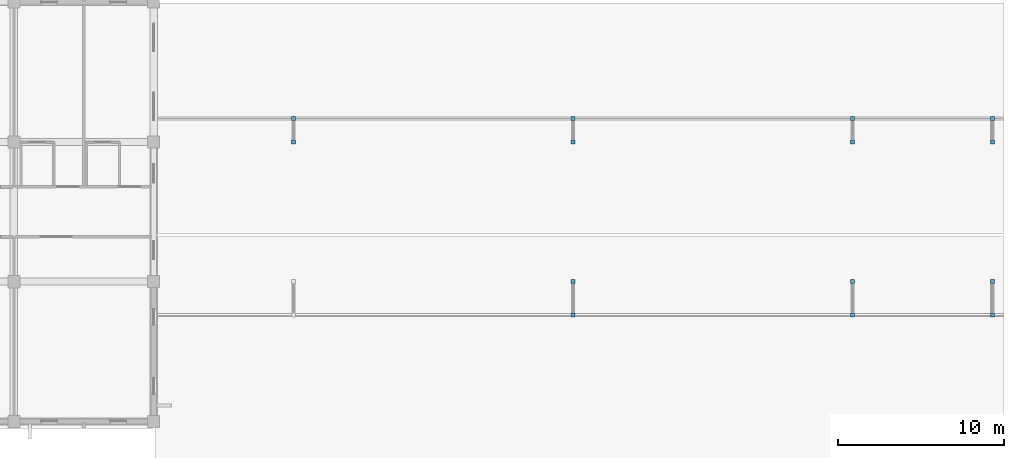
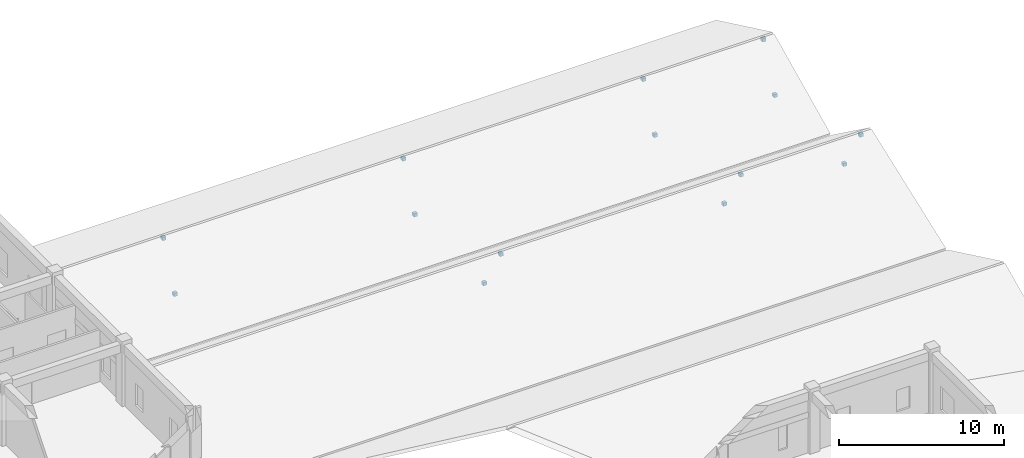
# One storey, part 142 of 158: 14 discrete accessories.
"""IFC4 building model written with IfcOpenShell, lengths in metres."""

import ifcopenshell
import ifcopenshell.guid

model = None  # the IFC model being written
_history = None  # IfcOwnerHistory: only IFC2X3 demands one
_inside = {}  # id of a spatial element -> (the spatial element, [elements in it])
_under = {}  # id of a project, library or spatial element -> (it, [spatial elements below it])
_declared = {}  # id of a project -> (the project, [libraries it declares])
_typed = {}  # id of a type object -> (the type object, [elements of that type])
_made_of = {}  # id of a material, layer set ... -> (it, [elements and type objects made of it])


def new_model(schema):
    """Start an empty IFC model of exactly this schema.

    Asked for "IFC4X3", IfcOpenShell would pick the latest addendum, in which some entities
    have other attributes; the version numbers below select the first issue.
    IFC2X3 requires an IfcOwnerHistory on every rooted entity: one is made here for all.
    """
    global model, _history
    if schema == "IFC4X3":
        model = ifcopenshell.file(schema_version=(4, 3, 0, 0))
    else:
        model = ifcopenshell.file(schema=schema)
    _inside.clear()
    _under.clear()
    _declared.clear()
    _typed.clear()
    _made_of.clear()
    _history = None
    if model.schema == "IFC2X3":
        org = make("IfcOrganization", Name="unknown")
        user = make(
            "IfcPersonAndOrganization",
            ThePerson=make("IfcPerson", FamilyName="unknown"),
            TheOrganization=org,
        )
        app = make(
            "IfcApplication",
            ApplicationDeveloper=org,
            Version="unknown",
            ApplicationFullName="unknown",
            ApplicationIdentifier="unknown",
        )
        _history = make(
            "IfcOwnerHistory",
            OwningUser=user,
            OwningApplication=app,
            ChangeAction="ADDED",
            CreationDate=0,
        )
    return model


def make(cls, **values):
    """One entity of the class cls with the attributes given. An attribute that is None is left unset."""
    return model.create_entity(
        cls, **{name: value for name, value in values.items() if value is not None}
    )


def rooted(cls, **values):
    """An entity with a GlobalId (a new one), such as an element, a storey or a relation."""
    return make(cls, GlobalId=ifcopenshell.guid.new(), OwnerHistory=_history, **values)


def si_unit(unit_type, name, prefix=None):
    """IfcSIUnit, for example si_unit("LENGTHUNIT", "METRE", prefix="MILLI")."""
    return make("IfcSIUnit", UnitType=unit_type, Prefix=prefix, Name=name)


def assignment(units):
    """IfcUnitAssignment: the units of a project."""
    return None if units is None else make("IfcUnitAssignment", Units=units)


def point(xyz):
    """IfcCartesianPoint."""
    return None if xyz is None else make("IfcCartesianPoint", Coordinates=xyz)


def direction(xyz):
    """IfcDirection."""
    return None if xyz is None else make("IfcDirection", DirectionRatios=xyz)


def frame(location, z_axis=None, x_axis=None):
    """IfcAxis2Placement3D, a coordinate frame: its origin and axes. An axis left out is left unset."""
    return make(
        "IfcAxis2Placement3D",
        Location=point(location),
        Axis=direction(z_axis),
        RefDirection=direction(x_axis),
    )


def frame_2d(location, x_axis=None):
    """IfcAxis2Placement2D, a coordinate frame in the plane: its origin and x axis."""
    return make(
        "IfcAxis2Placement2D", Location=point(location), RefDirection=direction(x_axis)
    )


def origin():
    """The frame at (0, 0, 0) with its axes left unset."""
    return frame((0.0, 0.0, 0.0))


def origin_2d():
    """The frame at (0, 0) in the plane with its x axis left unset."""
    return frame_2d((0.0, 0.0))


def place(relative_to, where):
    """IfcLocalPlacement: puts the frame where relative to a parent placement (None: the world)."""
    return make(
        "IfcLocalPlacement", PlacementRelTo=relative_to, RelativePlacement=where
    )


def context(
    kind, dimensions, precision=None, world=None, true_north=None, identifier=None
):
    """IfcGeometricRepresentationContext, for example the 3D "Model" context."""
    return make(
        "IfcGeometricRepresentationContext",
        ContextIdentifier=identifier,
        ContextType=kind,
        CoordinateSpaceDimension=dimensions,
        Precision=precision,
        WorldCoordinateSystem=world,
        TrueNorth=true_north,
    )


def subcontext(parent, identifier, kind, view, scale=None):
    """IfcGeometricRepresentationSubContext, for example "Body" below "Model"."""
    return make(
        "IfcGeometricRepresentationSubContext",
        ContextIdentifier=identifier,
        ContextType=kind,
        ParentContext=parent,
        TargetScale=scale,
        TargetView=view,
    )


def project(units=None, contexts=None):
    """IfcProject with its units and contexts."""
    return rooted(
        "IfcProject",
        Name="project",
        RepresentationContexts=contexts,
        UnitsInContext=assignment(units),
    )


def spatial(cls, under=None, at=None, **own):
    """A site, building, storey or space (cls), placed at a placement, below another one or the project."""
    s = rooted(cls, ObjectPlacement=at, **own)
    if under is not None:
        _under.setdefault(under.id(), (under, []))[1].append(s)
    return s


def profile(cls, at=None, kind="AREA", **sizes):
    """A parametric profile (cls). Its sizes go by their IFC names, for example OverallWidth=200.0."""
    return make(cls, ProfileType=kind, Position=at, **sizes)


def rectangle(**sizes):
    """IfcRectangleProfileDef."""
    return profile("IfcRectangleProfileDef", **sizes)


def extrude(swept, where, along, depth):
    """IfcExtrudedAreaSolid: the profile swept, set in the frame where, extruded along a direction by depth."""
    return make(
        "IfcExtrudedAreaSolid",
        SweptArea=swept,
        Position=where,
        ExtrudedDirection=direction(along),
        Depth=depth,
    )


def shape(context_of_items, identifier, shape_type, items):
    """IfcShapeRepresentation: the items that make up one representation, for example the "Body"."""
    return make(
        "IfcShapeRepresentation",
        ContextOfItems=context_of_items,
        RepresentationIdentifier=identifier,
        RepresentationType=shape_type,
        Items=items,
    )


def material(Name=None, Category=None):
    """IfcMaterial."""
    return make("IfcMaterial", Name=Name, Category=Category)


def made_of(thing, what):
    """Note that an element or type object is made of a material, layer set ...; save() writes the relation."""
    if what is not None:
        _made_of.setdefault(what.id(), (what, []))[1].append(thing)
    return thing


def type_object(cls, material=None, **own):
    """A type object (cls), such as IfcWallType, which elements share."""
    return made_of(rooted(cls, **own), material)


def element(
    cls,
    number,
    at=None,
    inside=None,
    cuts=None,
    type_object=None,
    material=None,
    context=None,
    identifier="Body",
    shape_type=None,
    held_by="IfcProductDefinitionShape",
    body=None,
    shapes=None,
    **own,
):
    """One element of the class cls, such as IfcWall. Its Tag is "e" and its number.

    at: its placement. inside: the storey or other place that contains it. cuts: it is an
    opening in that element (IfcRelVoidsElement). A single representation is given by context,
    identifier, shape_type and body (its items); several are given by shapes. held_by: the class
    of the entity that holds the representations. save() writes the other relations.
    """
    e = rooted(cls, Tag="e%d" % number, ObjectPlacement=at, **own)
    if body is not None:
        shapes = [shape(context, identifier, shape_type, body)]
    if shapes is not None:
        e.Representation = make(held_by, Representations=shapes)
    if inside is not None:
        _inside.setdefault(inside.id(), (inside, []))[1].append(e)
    if cuts is not None:
        rooted(
            "IfcRelVoidsElement", RelatingBuildingElement=cuts, RelatedOpeningElement=e
        )
    if type_object is not None:
        _typed.setdefault(type_object.id(), (type_object, []))[1].append(e)
    return made_of(e, material)


def aggregate(whole, parts):
    """IfcRelAggregates: a whole, such as a stair, and the parts it consists of."""
    return rooted("IfcRelAggregates", RelatingObject=whole, RelatedObjects=parts)


def save(model, path):
    """Write the relations noted so far, then the file.

    IfcRelAggregates (storeys below a building ...), IfcRelContainedInSpatialStructure (elements
    in a storey), IfcRelDefinesByType, IfcRelAssociatesMaterial and IfcRelDeclares: one each for
    every whole, place, type object, material and project.
    """
    for whole, parts in _under.values():
        aggregate(whole, parts)
    for where, things in _inside.values():
        rooted(
            "IfcRelContainedInSpatialStructure",
            RelatedElements=things,
            RelatingStructure=where,
        )
    for kind, things in _typed.values():
        rooted("IfcRelDefinesByType", RelatedObjects=things, RelatingType=kind)
    for what, things in _made_of.values():
        rooted("IfcRelAssociatesMaterial", RelatedObjects=things, RelatingMaterial=what)
    for by, libraries in _declared.values():
        rooted("IfcRelDeclares", RelatingContext=by, RelatedDefinitions=libraries)
    model.write(path)


model = new_model("IFC4")

# Units and contexts
model_context = context("Model", 3, precision=1e-05, world=origin(), true_north=direction((0.0, 1.0)))
body_context = subcontext(model_context, "Body", "Model", "MODEL_VIEW")
ifc_project = project(units=[si_unit("LENGTHUNIT", "METRE"), si_unit("AREAUNIT", "SQUARE_METRE"), si_unit("VOLUMEUNIT", "CUBIC_METRE"), si_unit("PLANEANGLEUNIT", "RADIAN"), si_unit("MASSUNIT", "GRAM", prefix="KILO")], contexts=[model_context])

# Site, building, storey
site_placement = place(None, origin())
site = spatial("IfcSite", under=ifc_project, at=site_placement, CompositionType="ELEMENT")
building_placement = place(site_placement, origin())
building = spatial("IfcBuilding", under=site, at=building_placement, Name="Trelvath General Hospital", CompositionType="ELEMENT")
storey_placement = place(building_placement, frame((0.0, 0.0, 8.10009765625)))
storey = spatial("IfcBuildingStorey", under=building, at=storey_placement, Name="L02", CompositionType="ELEMENT", Elevation=8.10009765625)

# Discrete accessories
ifc_material = material(Name="Steel S355", Category="steel")
discrete_accessory_type = type_object("IfcDiscreteAccessoryType", Name="FacadeBracket S355", PredefinedType="BRACKET", material=ifc_material)
for number, where, z_axis, x_axis, name in (
    (1, (159.60009765625, 100.800048828125, -0.1201171875), (0.0, 0.0, 1.0), (1.0, 0.0, 0.0), "Emergency Shell Ridge Strut Node 6-A"),
    (2, (159.60009765625, 98.800048828125, 3.259765625), (0.0, 0.0, 1.0), (1.0, 0.0, 0.0), "Emergency Shell Ridge Strut Node 6-B"),
    (3, (176.39990234375, 100.800048828125, -0.1201171875), (0.0, 0.0, 1.0), (1.0, 0.0, 0.0), "Emergency Shell Ridge Strut Node 7-A"),
    (4, (176.39990234375, 98.800048828125, 3.259765625), (0.0, 0.0, 1.0), (1.0, 0.0, 0.0), "Emergency Shell Ridge Strut Node 7-B"),
    (5, (184.800048828125, 100.800048828125, -0.1201171875), (0.0, 0.0, 1.0), (1.0, 0.0, 0.0), "Emergency Shell Ridge Strut Node 8-A"),
    (6, (184.800048828125, 98.800048828125, 3.259765625), (0.0, 0.0, 1.0), (1.0, 0.0, 0.0), "Emergency Shell Ridge Strut Node 8-B"),
    (7, (142.800048828125, 109.199951171875, -0.1201171875), (0.0, 0.0, 1.0), (1.0, 0.0, 0.0), "Emergency Shell Ridge Strut Node 9-A"),
    (8, (142.800048828125, 110.60009765625, 3.15966796875), (0.0, 0.0, 1.0), (1.0, 0.0, 0.0), "Emergency Shell Ridge Strut Node 9-B"),
    (9, (159.60009765625, 109.199951171875, -0.1201171875), (0.0, 0.0, 1.0), (1.0, 0.0, 0.0), "Emergency Shell Ridge Strut Node 10-A"),
    (10, (159.60009765625, 110.60009765625, 3.15966796875), (0.0, 0.0, 1.0), (1.0, 0.0, 0.0), "Emergency Shell Ridge Strut Node 10-B"),
    (11, (176.39990234375, 109.199951171875, -0.1201171875), (0.0, 0.0, 1.0), (1.0, 0.0, 0.0), "Emergency Shell Ridge Strut Node 11-A"),
    (12, (176.39990234375, 110.60009765625, 3.15966796875), (0.0, 0.0, 1.0), (1.0, 0.0, 0.0), "Emergency Shell Ridge Strut Node 11-B"),
    (13, (184.800048828125, 109.199951171875, -0.1201171875), (0.0, 0.0, 1.0), (1.0, 0.0, 0.0), "Emergency Shell Ridge Strut Node 12-A"),
    (14, (184.800048828125, 110.60009765625, 3.15966796875), (0.0, 0.0, 1.0), (1.0, 0.0, 0.0), "Emergency Shell Ridge Strut Node 12-B"),
):
    element("IfcDiscreteAccessory", number, at=place(storey_placement, frame(where, z_axis=z_axis, x_axis=x_axis)), inside=storey, type_object=discrete_accessory_type, Name=name, PredefinedType="BRACKET", context=body_context, shape_type="SweptSolid", body=[
        extrude(rectangle(XDim=0.239990234375, YDim=0.239990234375, at=origin_2d()), origin(), (0.0, 0.0, 1.0), 0.239990234375),
    ])

save(model, "model.ifc")
